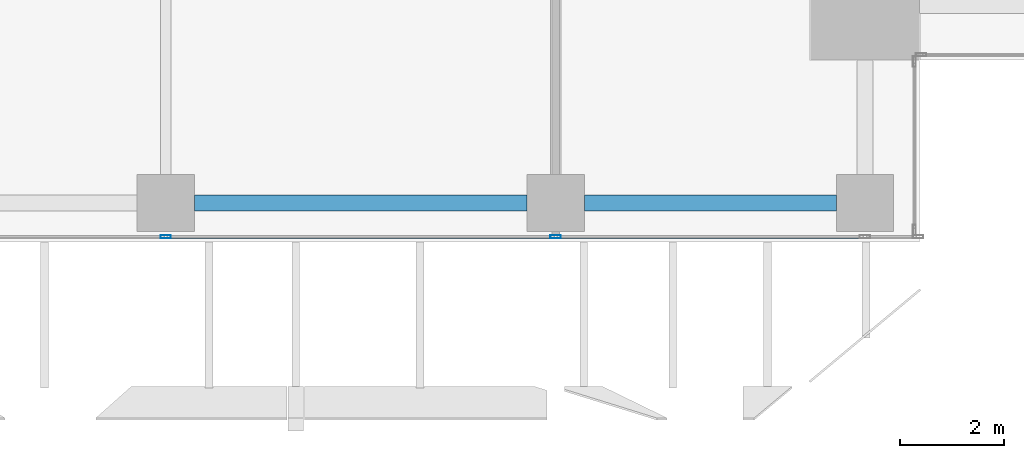
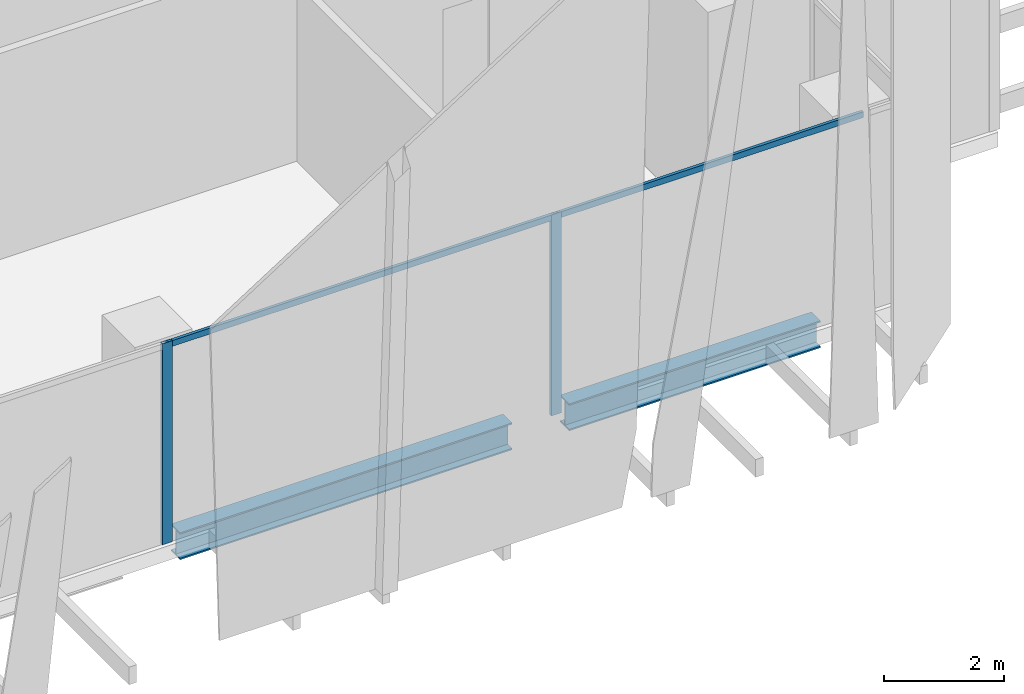
# One storey, part 9 of 36: 4 members, 2 beams, 1 element without a shape of its own.
"""IFC4 building model written with IfcOpenShell, lengths in metres."""

from ifc_helpers import new_model, si_unit, direction, frame, origin, origin_2d, place, context, subcontext, project, spatial, hollow_rectangle, i_section, extrude, source, transform, mapped, material, material_profile, profile_set, type_object, element, aggregate, save


model = new_model("IFC4")

# Units and contexts
model_context = context("Model", 3, precision=1e-05, world=origin(), true_north=direction((0.0, 1.0)))
body_context = subcontext(model_context, "Body", "Model", "MODEL_VIEW")
ifc_project = project(units=[si_unit("LENGTHUNIT", "METRE"), si_unit("AREAUNIT", "SQUARE_METRE"), si_unit("VOLUMEUNIT", "CUBIC_METRE"), si_unit("PLANEANGLEUNIT", "RADIAN"), si_unit("MASSUNIT", "GRAM", prefix="KILO")], contexts=[model_context])

# Site, building, storey
site_placement = place(None, origin())
site = spatial("IfcSite", under=ifc_project, at=site_placement, CompositionType="ELEMENT")
building_placement = place(site_placement, origin())
building = spatial("IfcBuilding", under=site, at=building_placement, Name="Khomas Fold Tower", CompositionType="ELEMENT")
storey_placement = place(building_placement, frame((0.0, 0.0, 141.10009765625)))
storey = spatial("IfcBuildingStorey", under=building, at=storey_placement, Name="L30", CompositionType="ELEMENT", Elevation=141.10009765625)

# Beams
ifc_material_1 = material(Name="Steel S355", Category="steel")
ifc_material_profile_1 = material_profile(ifc_material_1, i_section(OverallWidth=0.300048828125, OverallDepth=0.550048828125, WebThickness=0.014892578125, FlangeThickness=0.029052734375, at=origin_2d()), Name="HE 550 B")
ifc_profile_set_1 = profile_set([ifc_material_profile_1], Name="Steel S355")
beam_type = type_object("IfcBeamType", Name="HE 550 B spandrel SB2", PredefinedType="SPANDREL", material=ifc_profile_set_1)
shared_shape_1 = source(origin(), body_context, "Body", "SweptSolid", [
    extrude(i_section(OverallWidth=0.300048828125, OverallDepth=0.550048828125, WebThickness=0.014892578125, FlangeThickness=0.029052734375, at=origin_2d()), origin(), (0.0, 0.0, 1.0), 4.849853515625),
])
beam_1_placement = place(storey_placement, frame((42.550048828125, 2.25, -0.5751953125), z_axis=(1.0, 0.0, 0.0), x_axis=(0.0, 1.0, 0.0)))
element("IfcBeam", 1, at=beam_1_placement, inside=storey, type_object=beam_type, Name="SB2", PredefinedType="SPANDREL", context=body_context, shape_type="MappedRepresentation", body=[
    mapped(shared_shape_1, transform((0.0, 0.0, 0.0))),
])
shared_shape_2 = source(origin(), body_context, "Body", "SweptSolid", [
    extrude(i_section(OverallWidth=0.300048828125, OverallDepth=0.550048828125, WebThickness=0.014892578125, FlangeThickness=0.029052734375, at=origin_2d()), origin(), (0.0, 0.0, 1.0), 6.39990234375),
])
beam_2_placement = place(storey_placement, frame((35.050048828125, 2.25, -0.5751953125), z_axis=(1.0, 0.0, 0.0), x_axis=(0.0, 1.0, 0.0)))
element("IfcBeam", 2, at=beam_2_placement, inside=storey, type_object=beam_type, Name="SB2", PredefinedType="SPANDREL", context=body_context, shape_type="MappedRepresentation", body=[
    mapped(shared_shape_2, transform((0.0, 0.0, 0.0))),
])

# Curtain wall, members
ifc_material_2 = material(Name="Aluminium framed double glazing", Category="aluminium")
curtain_wall_type = type_object("IfcCurtainWallType", Name="SK-Unitised clear-glass wall, growing floors CW1", PredefinedType="NOTDEFINED", material=ifc_material_2)
curtain_wall_placement = place(storey_placement, origin())
curtain_wall = element("IfcCurtainWall", 3, at=curtain_wall_placement, inside=storey, type_object=curtain_wall_type, Name="CW1 run L30 00-0", PredefinedType="NOTDEFINED")
ifc_material_3 = material(Name="Aluminium", Category="aluminium")
ifc_material_profile_2 = material_profile(ifc_material_3, hollow_rectangle(XDim=0.06005859375, YDim=0.1201171875, WallThickness=0.00390625, at=origin_2d()), Name="SK-Unitised clear-glass wall, growing floors transom CW1-T")
ifc_profile_set_2 = profile_set([ifc_material_profile_2], Name="Aluminium")
member_type_1 = type_object("IfcMemberType", Name="SK-Unitised clear-glass wall, growing floors transom CW1-T", PredefinedType="USERDEFINED", material=ifc_profile_set_2)
shared_shape_3 = source(origin(), body_context, "Body", "SweptSolid", [
    extrude(hollow_rectangle(XDim=0.06005859375, YDim=0.1201171875, WallThickness=0.00390625, at=origin_2d()), origin(), (0.0, 0.0, 1.0), 7.43994140625),
])
member_1_placement = place(storey_placement, frame((34.530029296875, 1.60009765625, 4.039794921875), z_axis=(1.0, 0.0, 0.0), x_axis=(0.0, 1.0, 0.0)))
member_1 = element("IfcMember", 4, at=member_1_placement, type_object=member_type_1, Name="CW1 transom 6", ObjectType="TRANSOM", PredefinedType="USERDEFINED", context=body_context, shape_type="MappedRepresentation", body=[
    mapped(shared_shape_3, transform((0.0, 0.0, 0.0))),
])
shared_shape_4 = source(origin(), body_context, "Body", "SweptSolid", [
    extrude(hollow_rectangle(XDim=0.06005859375, YDim=0.1201171875, WallThickness=0.00390625, at=origin_2d()), origin(), (0.0, 0.0, 1.0), 5.889892578125),
])
member_2_placement = place(storey_placement, frame((42.030029296875, 1.60009765625, 4.039794921875), z_axis=(1.0, 0.0, 0.0), x_axis=(0.0, 1.0, 0.0)))
member_2 = element("IfcMember", 5, at=member_2_placement, type_object=member_type_1, Name="CW1 transom 7", ObjectType="TRANSOM", PredefinedType="USERDEFINED", context=body_context, shape_type="MappedRepresentation", body=[
    mapped(shared_shape_4, transform((0.0, 0.0, 0.0))),
])
ifc_material_4 = material(Name="Aluminium", Category="aluminium")
ifc_material_profile_3 = material_profile(ifc_material_4, hollow_rectangle(XDim=0.06005859375, YDim=0.199951171875, WallThickness=0.00390625, at=origin_2d()), Name="SK-Unitised clear-glass wall, growing floors mullion CW1-M")
ifc_profile_set_3 = profile_set([ifc_material_profile_3], Name="Aluminium")
member_type_2 = type_object("IfcMemberType", Name="SK-Unitised clear-glass wall, growing floors mullion CW1-M", PredefinedType="MULLION", material=ifc_profile_set_3)
shared_shape_5 = source(origin(), body_context, "Body", "SweptSolid", [
    extrude(hollow_rectangle(XDim=0.06005859375, YDim=0.199951171875, WallThickness=0.00390625, at=origin_2d()), origin(), (0.0, 0.0, 1.0), 4.099853515625),
])
member_3_placement = place(storey_placement, frame((34.5, 1.60009765625, 0.0), z_axis=(0.0, 0.0, 1.0), x_axis=(0.0, 1.0, 0.0)))
member_3 = element("IfcMember", 6, at=member_3_placement, type_object=member_type_2, Name="CW1 mullion 6", PredefinedType="MULLION", context=body_context, shape_type="MappedRepresentation", body=[
    mapped(shared_shape_5, transform((0.0, 0.0, 0.0))),
])
member_4_placement = place(storey_placement, frame((42.0, 1.60009765625, 0.0), z_axis=(0.0, 0.0, 1.0), x_axis=(0.0, 1.0, 0.0)))
member_4 = element("IfcMember", 7, at=member_4_placement, type_object=member_type_2, Name="CW1 mullion 7", PredefinedType="MULLION", context=body_context, shape_type="MappedRepresentation", body=[
    mapped(shared_shape_5, transform((0.0, 0.0, 0.0))),
])
aggregate(curtain_wall, [member_3, member_4, member_1, member_2])

save(model, "model.ifc")
